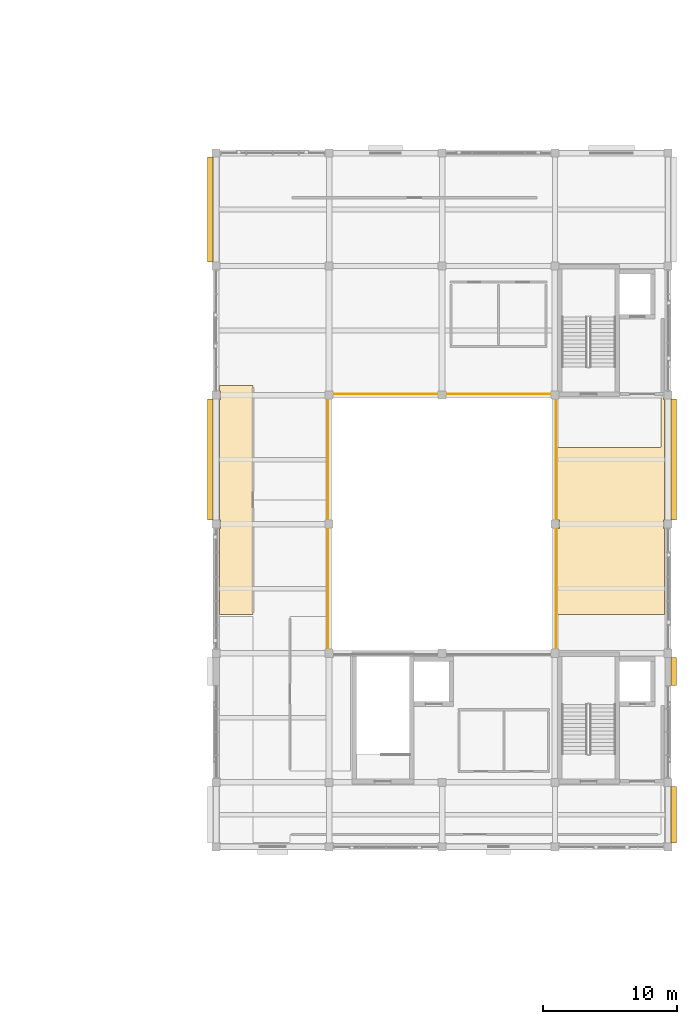
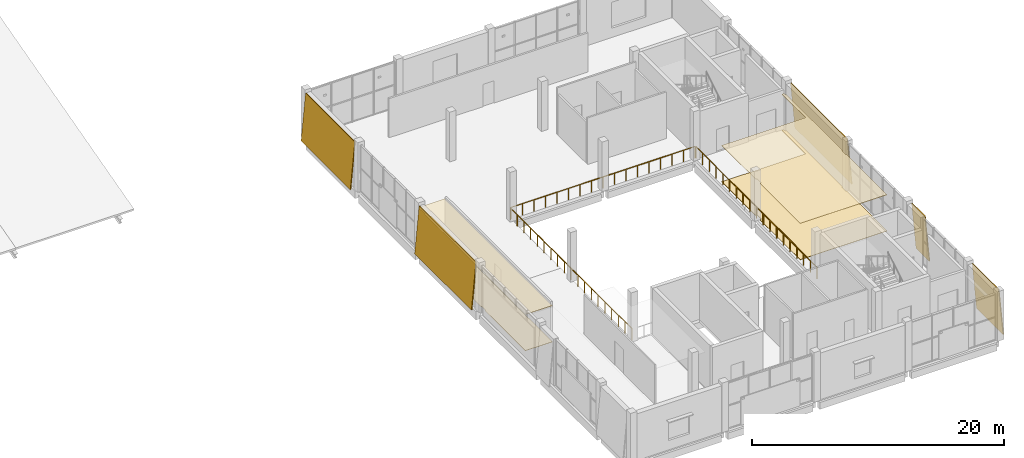
# One storey, part 36 of 37: 9 coverings, 3 railings.
"""IFC4 building model written with IfcOpenShell, lengths in metres."""

from ifc_helpers import new_model, si_unit, direction, frame, origin, origin_2d, place, context, subcontext, project, spatial, polyline, circle, outline, extrude, material, layer, layer_set, type_object, element, save


model = new_model("IFC4")

# Units and contexts
model_context = context("Model", 3, precision=1e-05, world=origin(), true_north=direction((0.0, 1.0)))
body_context = subcontext(model_context, "Body", "Model", "MODEL_VIEW")
ifc_project = project(units=[si_unit("LENGTHUNIT", "METRE"), si_unit("AREAUNIT", "SQUARE_METRE"), si_unit("VOLUMEUNIT", "CUBIC_METRE"), si_unit("PLANEANGLEUNIT", "RADIAN"), si_unit("MASSUNIT", "GRAM", prefix="KILO")], contexts=[model_context])

# Site, building, storey
site_placement = place(None, origin())
site = spatial("IfcSite", under=ifc_project, at=site_placement, CompositionType="ELEMENT")
building_placement = place(site_placement, origin())
building = spatial("IfcBuilding", under=site, at=building_placement, Name="Shalvenor Court Art Gallery", CompositionType="ELEMENT")
storey_placement = place(building_placement, frame((0.0, 0.0, 22.199951171875)))
storey = spatial("IfcBuildingStorey", under=building, at=storey_placement, Name="L04", CompositionType="ELEMENT", Elevation=22.199951171875)

# Coverings
ifc_material_1 = material(Name="Pale Mediterranean limestone cladding", Category="masonry")
ifc_layer_1 = layer(ifc_material_1, 0.080078125, Name="Pale Mediterranean limestone cladding")
ifc_layer_set_1 = layer_set([ifc_layer_1], Name="Pale Mediterranean limestone cladding")
covering_type_1 = type_object("IfcCoveringType", Name="CLD-01", PredefinedType="CLADDING", material=ifc_layer_set_1)
covering_1_placement = place(storey_placement, frame((177.03955078125, 69.89990234375, 0.0), z_axis=(0.0, 0.0, 1.0), x_axis=(0.0, 1.0, 0.0)))
element("IfcCovering", 1, at=covering_1_placement, inside=storey, type_object=covering_type_1, Name="L04 V1 Tapered Limestone Cladding 22", PredefinedType="CLADDING", context=body_context, shape_type="SweptSolid", body=[
    extrude(outline(polyline([(0.0, 0.0), (9.0, 0.0), (9.0, 4.5185546875), (0.0, 4.5185546875), (0.0, 0.0)])), frame((0.0, 0.0, 0.0), z_axis=(0.0, -0.995884398616, 0.090632580198), x_axis=(1.0, 0.0, 0.0)), (0.0, 0.090632580198, -0.995884398616), 0.080322265625),
])
covering_2_placement = place(storey_placement, frame((177.03955078125, 57.60009765625, 0.0), z_axis=(0.0, 0.0, 1.0), x_axis=(0.0, 1.0, 0.0)))
element("IfcCovering", 2, at=covering_2_placement, inside=storey, type_object=covering_type_1, Name="L04 V1 Tapered Limestone Cladding 23", PredefinedType="CLADDING", context=body_context, shape_type="SweptSolid", body=[
    extrude(outline(polyline([(0.0, 0.0), (2.099853515625, 0.0), (2.099853515625, 4.5185546875), (0.0, 4.5185546875), (0.0, 0.0)])), frame((0.0, 0.0, 0.0), z_axis=(0.0, -0.995884398616, 0.090632580198), x_axis=(1.0, 0.0, 0.0)), (0.0, 0.090632580198, -0.995884398616), 0.080322265625),
])
covering_3_placement = place(storey_placement, frame((177.03955078125, 45.89990234375, 0.0), z_axis=(0.0, 0.0, 1.0), x_axis=(0.0, 1.0, 0.0)))
element("IfcCovering", 3, at=covering_3_placement, inside=storey, type_object=covering_type_1, Name="L04 V1 Tapered Limestone Cladding 24", PredefinedType="CLADDING", context=body_context, shape_type="SweptSolid", body=[
    extrude(outline(polyline([(0.0, 0.0), (4.2001953125, 0.0), (4.2001953125, 4.5185546875), (0.0, 4.5185546875), (0.0, 0.0)])), frame((0.0, 0.0, 0.0), z_axis=(0.0, -0.995884398616, 0.090632580198), x_axis=(1.0, 0.0, 0.0)), (0.0, 0.090632580198, -0.995884398616), 0.080322265625),
])
covering_4_placement = place(storey_placement, frame((142.160400390625, 78.89990234375, 0.0), z_axis=(0.0, 0.0, 1.0), x_axis=(0.0, -1.0, 0.0)))
element("IfcCovering", 4, at=covering_4_placement, inside=storey, type_object=covering_type_1, Name="L04 V1 Tapered Limestone Cladding 27", PredefinedType="CLADDING", context=body_context, shape_type="SweptSolid", body=[
    extrude(outline(polyline([(0.0, 0.0), (9.0, 0.0), (9.0, 4.5185546875), (0.0, 4.5185546875), (0.0, 0.0)])), frame((0.0, 0.0, 0.0), z_axis=(0.0, -0.995884398616, 0.090632580198), x_axis=(1.0, 0.0, 0.0)), (0.0, 0.090632580198, -0.995884398616), 0.080322265625),
])
covering_5_placement = place(storey_placement, frame((142.160400390625, 96.89990234375, 0.0), z_axis=(0.0, 0.0, 1.0), x_axis=(0.0, -1.0, 0.0)))
element("IfcCovering", 5, at=covering_5_placement, inside=storey, type_object=covering_type_1, Name="L04 V1 Tapered Limestone Cladding 28", PredefinedType="CLADDING", context=body_context, shape_type="SweptSolid", body=[
    extrude(outline(polyline([(0.0, 0.0), (7.7998046875, 0.0), (7.7998046875, 4.5185546875), (0.0, 4.5185546875), (0.0, 0.0)])), frame((0.0, 0.0, 0.0), z_axis=(0.0, -0.995884398616, 0.090632580198), x_axis=(1.0, 0.0, 0.0)), (0.0, 0.090632580198, -0.995884398616), 0.080322265625),
])
ifc_material_2 = material(Name="Acoustic hinoki timber slat ceiling", Category="wood")
ifc_layer_2 = layer(ifc_material_2, 0.054931640625, Name="Acoustic hinoki timber slat ceiling")
ifc_layer_set_2 = layer_set([ifc_layer_2], Name="Acoustic hinoki timber slat ceiling")
covering_type_2 = type_object("IfcCoveringType", Name="CLG-02", PredefinedType="CEILING", material=ifc_layer_set_2)
covering_6_placement = place(storey_placement, frame((0.0, 0.0, 3.5)))
element("IfcCovering", 6, at=covering_6_placement, inside=storey, type_object=covering_type_2, Name="L04 Print Study Cabinet Acoustic Ceiling", PredefinedType="CEILING", context=body_context, shape_type="SweptSolid", body=[
    extrude(outline(polyline([(175.800048828125, 75.320068359375), (175.807861328125, 75.3203125), (175.815673828125, 75.321533203125), (175.8232421875, 75.323486328125), (175.83056640625, 75.326171875), (175.837646484375, 75.329345703125), (175.844482421875, 75.33349609375), (175.850830078125, 75.338134765625), (175.856689453125, 75.343505859375), (175.86181640625, 75.34912109375), (175.866455078125, 75.355712890625), (175.87060546875, 75.3623046875), (175.873779296875, 75.369384765625), (175.876708984375, 75.376708984375), (175.87841796875, 75.384521484375), (175.879638671875, 75.39208984375), (175.8798828125, 75.39990234375), (175.8798828125, 79.080078125), (176.0, 79.080078125), (176.021484375, 79.0810546875), (176.04296875, 79.084228515625), (176.06396484375, 79.089599609375), (176.080078125, 79.09521484375), (176.080078125, 78.8798828125), (176.14990234375, 78.8798828125), (176.14990234375, 69.919921875), (176.080078125, 69.919921875), (176.080078125, 69.280029296875), (176.14990234375, 69.280029296875), (176.14990234375, 62.8798828125), (168.199951171875, 62.8798828125), (168.199951171875, 69.280029296875), (168.320068359375, 69.280029296875), (168.320068359375, 69.919921875), (168.199951171875, 69.919921875), (168.199951171875, 75.320068359375), (175.800048828125, 75.320068359375)])), origin(), (0.0, 0.0, 1.0), 0.045166015625),
])
covering_7_placement = place(storey_placement, frame((0.0, 0.0, 3.5)))
element("IfcCovering", 7, at=covering_7_placement, inside=storey, type_object=covering_type_2, Name="L04 Print Study Cabinet Wing B Acoustic Ceiling", PredefinedType="CEILING", context=body_context, shape_type="SweptSolid", body=[
    extrude(outline(polyline([(143.050048828125, 62.8798828125), (143.050048828125, 69.280029296875), (143.1201171875, 69.280029296875), (143.1201171875, 69.919921875), (143.050048828125, 69.919921875), (143.050048828125, 78.8798828125), (143.1201171875, 78.8798828125), (143.1201171875, 79.52001953125), (143.050048828125, 79.52001953125), (143.050048828125, 79.919921875), (145.52001953125, 79.919921875), (145.52001953125, 62.8798828125), (143.050048828125, 62.8798828125)])), origin(), (0.0, 0.0, 1.0), 0.045166015625),
])
ifc_material_3 = material(Name="Quarter-sawn white oak gallery flooring", Category="wood")
ifc_layer_3 = layer(ifc_material_3, 0.031982421875, Name="Quarter-sawn white oak gallery flooring")
ifc_layer_set_3 = layer_set([ifc_layer_3], Name="Quarter-sawn white oak gallery flooring")
covering_type_3 = type_object("IfcCoveringType", Name="FLR-02", PredefinedType="FLOORING", material=ifc_layer_set_3)
covering_8_placement = place(storey_placement, origin())
element("IfcCovering", 8, at=covering_8_placement, inside=storey, type_object=covering_type_3, Name="L04 Print Study Cabinet Flooring", PredefinedType="FLOORING", context=body_context, shape_type="SweptSolid", body=[
    extrude(outline(polyline([(175.800048828125, 75.320068359375), (175.807861328125, 75.3203125), (175.815673828125, 75.321533203125), (175.8232421875, 75.323486328125), (175.83056640625, 75.326171875), (175.837646484375, 75.329345703125), (175.844482421875, 75.33349609375), (175.850830078125, 75.338134765625), (175.856689453125, 75.343505859375), (175.86181640625, 75.34912109375), (175.866455078125, 75.355712890625), (175.87060546875, 75.3623046875), (175.873779296875, 75.369384765625), (175.876708984375, 75.376708984375), (175.87841796875, 75.384521484375), (175.879638671875, 75.39208984375), (175.8798828125, 75.39990234375), (175.8798828125, 79.080078125), (176.0, 79.080078125), (176.021484375, 79.0810546875), (176.04296875, 79.084228515625), (176.06396484375, 79.089599609375), (176.080078125, 79.09521484375), (176.080078125, 78.8798828125), (176.14990234375, 78.8798828125), (176.14990234375, 69.919921875), (176.080078125, 69.919921875), (176.080078125, 69.280029296875), (176.14990234375, 69.280029296875), (176.14990234375, 62.8798828125), (168.199951171875, 62.8798828125), (168.199951171875, 69.280029296875), (168.320068359375, 69.280029296875), (168.320068359375, 69.919921875), (168.199951171875, 69.919921875), (168.199951171875, 75.320068359375), (175.800048828125, 75.320068359375)])), origin(), (0.0, 0.0, 1.0), 0.031982421875),
])
covering_9_placement = place(storey_placement, origin())
element("IfcCovering", 9, at=covering_9_placement, inside=storey, type_object=covering_type_3, Name="L04 Print Study Cabinet Wing B Flooring", PredefinedType="FLOORING", context=body_context, shape_type="SweptSolid", body=[
    extrude(outline(polyline([(143.050048828125, 62.8798828125), (143.050048828125, 69.280029296875), (143.1201171875, 69.280029296875), (143.1201171875, 69.919921875), (143.050048828125, 69.919921875), (143.050048828125, 78.8798828125), (143.1201171875, 78.8798828125), (143.1201171875, 79.52001953125), (143.050048828125, 79.52001953125), (143.050048828125, 79.919921875), (145.52001953125, 79.919921875), (145.52001953125, 62.8798828125), (143.050048828125, 62.8798828125)])), origin(), (0.0, 0.0, 1.0), 0.031982421875),
])

# Railings
ifc_material_4 = material(Name="Stainless steel and laminated glass balustrade", Category="steel")
railing_type = type_object("IfcRailingType", Name="GR-01", PredefinedType="BALUSTRADE", material=ifc_material_4)
railing_1_placement = place(storey_placement, frame((168.080078125, 59.97998046875, 0.0)))
element("IfcRailing", 10, at=railing_1_placement, inside=storey, type_object=railing_type, Name="L04 Atrium Gallery Balustrade 2", PredefinedType="BALUSTRADE", context=body_context, shape_type="SweptSolid", body=[
    extrude(circle(Radius=0.02392578125, at=origin_2d()), frame((0.0, 0.0, 1.09619140625), z_axis=(0.0, 1.0, 0.0), x_axis=(-1.0, 0.0, 0.0)), (0.0, 0.0, 1.0), 19.239990234375),
    extrude(circle(Radius=0.02099609375, at=origin_2d()), origin(), (0.0, 0.0, 1.0), 1.072021484375),
    extrude(circle(Radius=0.02099609375, at=origin_2d()), frame((0.0, 1.06884765625, 0.0)), (0.0, 0.0, 1.0), 1.072021484375),
    extrude(circle(Radius=0.02099609375, at=origin_2d()), frame((0.0, 2.1376953125, 0.0)), (0.0, 0.0, 1.0), 1.072021484375),
    extrude(circle(Radius=0.02099609375, at=origin_2d()), frame((0.0, 3.20654296875, 0.0)), (0.0, 0.0, 1.0), 1.072021484375),
    extrude(circle(Radius=0.02099609375, at=origin_2d()), frame((0.0, 4.275634765625, 0.0)), (0.0, 0.0, 1.0), 1.072021484375),
    extrude(circle(Radius=0.02099609375, at=origin_2d()), frame((0.0, 5.344482421875, 0.0)), (0.0, 0.0, 1.0), 1.072021484375),
    extrude(circle(Radius=0.02099609375, at=origin_2d()), frame((0.0, 6.413330078125, 0.0)), (0.0, 0.0, 1.0), 1.072021484375),
    extrude(circle(Radius=0.02099609375, at=origin_2d()), frame((0.0, 7.482177734375, 0.0)), (0.0, 0.0, 1.0), 1.072021484375),
    extrude(circle(Radius=0.02099609375, at=origin_2d()), frame((0.0, 8.551025390625, 0.0)), (0.0, 0.0, 1.0), 1.072021484375),
    extrude(circle(Radius=0.02099609375, at=origin_2d()), frame((0.0, 9.6201171875, 0.0)), (0.0, 0.0, 1.0), 1.072021484375),
    extrude(circle(Radius=0.02099609375, at=origin_2d()), frame((0.0, 10.68896484375, 0.0)), (0.0, 0.0, 1.0), 1.072021484375),
    extrude(circle(Radius=0.02099609375, at=origin_2d()), frame((0.0, 11.7578125, 0.0)), (0.0, 0.0, 1.0), 1.072021484375),
    extrude(circle(Radius=0.02099609375, at=origin_2d()), frame((0.0, 12.82666015625, 0.0)), (0.0, 0.0, 1.0), 1.072021484375),
    extrude(circle(Radius=0.02099609375, at=origin_2d()), frame((0.0, 13.8955078125, 0.0)), (0.0, 0.0, 1.0), 1.072021484375),
    extrude(circle(Radius=0.02099609375, at=origin_2d()), frame((0.0, 14.96435546875, 0.0)), (0.0, 0.0, 1.0), 1.072021484375),
    extrude(circle(Radius=0.02099609375, at=origin_2d()), frame((0.0, 16.033203125, 0.0)), (0.0, 0.0, 1.0), 1.072021484375),
    extrude(circle(Radius=0.02099609375, at=origin_2d()), frame((0.0, 17.102294921875, 0.0)), (0.0, 0.0, 1.0), 1.072021484375),
    extrude(circle(Radius=0.02099609375, at=origin_2d()), frame((0.0, 18.171142578125, 0.0)), (0.0, 0.0, 1.0), 1.072021484375),
    extrude(circle(Radius=0.02099609375, at=origin_2d()), frame((0.0, 19.239990234375, 0.0)), (0.0, 0.0, 1.0), 1.072021484375),
])
railing_2_placement = place(storey_placement, frame((168.02001953125, 79.280029296875, 0.0)))
element("IfcRailing", 11, at=railing_2_placement, inside=storey, type_object=railing_type, Name="L04 Atrium Gallery Balustrade 3", PredefinedType="BALUSTRADE", context=body_context, shape_type="SweptSolid", body=[
    extrude(circle(Radius=0.02392578125, at=origin_2d()), frame((0.0, 0.0, 1.09619140625), z_axis=(-1.0, 0.0, 0.0), x_axis=(0.0, -1.0, 0.0)), (0.0, 0.0, 1.0), 16.840087890625),
    extrude(circle(Radius=0.02099609375, at=origin_2d()), origin(), (0.0, 0.0, 1.0), 1.072021484375),
    extrude(circle(Radius=0.02099609375, at=origin_2d()), frame((-1.052490234375, 0.0, 0.0)), (0.0, 0.0, 1.0), 1.072021484375),
    extrude(circle(Radius=0.02099609375, at=origin_2d()), frame((-2.10498046875, 0.0, 0.0)), (0.0, 0.0, 1.0), 1.072021484375),
    extrude(circle(Radius=0.02099609375, at=origin_2d()), frame((-3.157470703125, 0.0, 0.0)), (0.0, 0.0, 1.0), 1.072021484375),
    extrude(circle(Radius=0.02099609375, at=origin_2d()), frame((-4.2099609375, 0.0, 0.0)), (0.0, 0.0, 1.0), 1.072021484375),
    extrude(circle(Radius=0.02099609375, at=origin_2d()), frame((-5.262451171875, 0.0, 0.0)), (0.0, 0.0, 1.0), 1.072021484375),
    extrude(circle(Radius=0.02099609375, at=origin_2d()), frame((-6.31494140625, 0.0, 0.0)), (0.0, 0.0, 1.0), 1.072021484375),
    extrude(circle(Radius=0.02099609375, at=origin_2d()), frame((-7.367431640625, 0.0, 0.0)), (0.0, 0.0, 1.0), 1.072021484375),
    extrude(circle(Radius=0.02099609375, at=origin_2d()), frame((-8.419921875, 0.0, 0.0)), (0.0, 0.0, 1.0), 1.072021484375),
    extrude(circle(Radius=0.02099609375, at=origin_2d()), frame((-9.47265625, 0.0, 0.0)), (0.0, 0.0, 1.0), 1.072021484375),
    extrude(circle(Radius=0.02099609375, at=origin_2d()), frame((-10.525146484375, 0.0, 0.0)), (0.0, 0.0, 1.0), 1.072021484375),
    extrude(circle(Radius=0.02099609375, at=origin_2d()), frame((-11.57763671875, 0.0, 0.0)), (0.0, 0.0, 1.0), 1.072021484375),
    extrude(circle(Radius=0.02099609375, at=origin_2d()), frame((-12.630126953125, 0.0, 0.0)), (0.0, 0.0, 1.0), 1.072021484375),
    extrude(circle(Radius=0.02099609375, at=origin_2d()), frame((-13.6826171875, 0.0, 0.0)), (0.0, 0.0, 1.0), 1.072021484375),
    extrude(circle(Radius=0.02099609375, at=origin_2d()), frame((-14.735107421875, 0.0, 0.0)), (0.0, 0.0, 1.0), 1.072021484375),
    extrude(circle(Radius=0.02099609375, at=origin_2d()), frame((-15.78759765625, 0.0, 0.0)), (0.0, 0.0, 1.0), 1.072021484375),
    extrude(circle(Radius=0.02099609375, at=origin_2d()), frame((-16.840087890625, 0.0, 0.0)), (0.0, 0.0, 1.0), 1.072021484375),
])
railing_3_placement = place(storey_placement, frame((151.1201171875, 79.219970703125, 0.0)))
element("IfcRailing", 12, at=railing_3_placement, inside=storey, type_object=railing_type, Name="L04 Atrium Gallery Balustrade 4", PredefinedType="BALUSTRADE", context=body_context, shape_type="SweptSolid", body=[
    extrude(circle(Radius=0.02392578125, at=origin_2d()), frame((0.0, 0.0, 1.09619140625), z_axis=(0.0, -1.0, 0.0), x_axis=(1.0, 0.0, 0.0)), (0.0, 0.0, 1.0), 19.239990234375),
    extrude(circle(Radius=0.02099609375, at=origin_2d()), origin(), (0.0, 0.0, 1.0), 1.072021484375),
    extrude(circle(Radius=0.02099609375, at=origin_2d()), frame((0.0, -1.06884765625, 0.0)), (0.0, 0.0, 1.0), 1.072021484375),
    extrude(circle(Radius=0.02099609375, at=origin_2d()), frame((0.0, -2.1376953125, 0.0)), (0.0, 0.0, 1.0), 1.072021484375),
    extrude(circle(Radius=0.02099609375, at=origin_2d()), frame((0.0, -3.20654296875, 0.0)), (0.0, 0.0, 1.0), 1.072021484375),
    extrude(circle(Radius=0.02099609375, at=origin_2d()), frame((0.0, -4.275634765625, 0.0)), (0.0, 0.0, 1.0), 1.072021484375),
    extrude(circle(Radius=0.02099609375, at=origin_2d()), frame((0.0, -5.344482421875, 0.0)), (0.0, 0.0, 1.0), 1.072021484375),
    extrude(circle(Radius=0.02099609375, at=origin_2d()), frame((0.0, -6.413330078125, 0.0)), (0.0, 0.0, 1.0), 1.072021484375),
    extrude(circle(Radius=0.02099609375, at=origin_2d()), frame((0.0, -7.482177734375, 0.0)), (0.0, 0.0, 1.0), 1.072021484375),
    extrude(circle(Radius=0.02099609375, at=origin_2d()), frame((0.0, -8.551025390625, 0.0)), (0.0, 0.0, 1.0), 1.072021484375),
    extrude(circle(Radius=0.02099609375, at=origin_2d()), frame((0.0, -9.6201171875, 0.0)), (0.0, 0.0, 1.0), 1.072021484375),
    extrude(circle(Radius=0.02099609375, at=origin_2d()), frame((0.0, -10.68896484375, 0.0)), (0.0, 0.0, 1.0), 1.072021484375),
    extrude(circle(Radius=0.02099609375, at=origin_2d()), frame((0.0, -11.7578125, 0.0)), (0.0, 0.0, 1.0), 1.072021484375),
    extrude(circle(Radius=0.02099609375, at=origin_2d()), frame((0.0, -12.82666015625, 0.0)), (0.0, 0.0, 1.0), 1.072021484375),
    extrude(circle(Radius=0.02099609375, at=origin_2d()), frame((0.0, -13.8955078125, 0.0)), (0.0, 0.0, 1.0), 1.072021484375),
    extrude(circle(Radius=0.02099609375, at=origin_2d()), frame((0.0, -14.96435546875, 0.0)), (0.0, 0.0, 1.0), 1.072021484375),
    extrude(circle(Radius=0.02099609375, at=origin_2d()), frame((0.0, -16.033203125, 0.0)), (0.0, 0.0, 1.0), 1.072021484375),
    extrude(circle(Radius=0.02099609375, at=origin_2d()), frame((0.0, -17.102294921875, 0.0)), (0.0, 0.0, 1.0), 1.072021484375),
    extrude(circle(Radius=0.02099609375, at=origin_2d()), frame((0.0, -18.171142578125, 0.0)), (0.0, 0.0, 1.0), 1.072021484375),
    extrude(circle(Radius=0.02099609375, at=origin_2d()), frame((0.0, -19.239990234375, 0.0)), (0.0, 0.0, 1.0), 1.072021484375),
])

save(model, "model.ifc")
